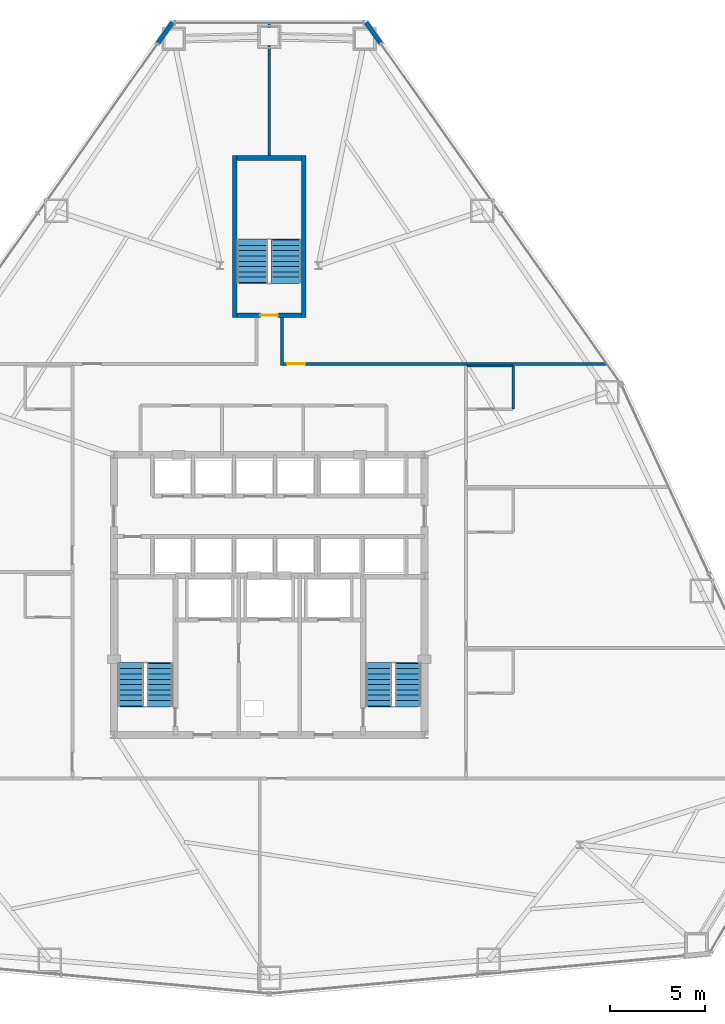
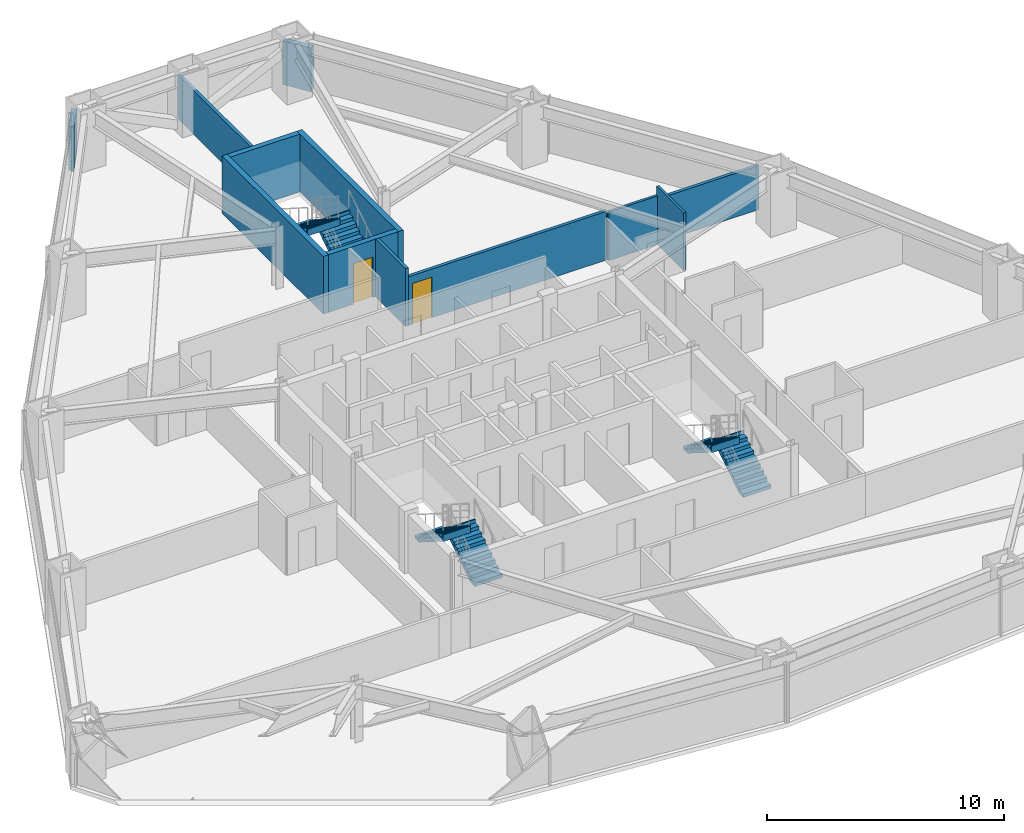
# One storey, part 11 of 12: 12 walls, 6 stair flights, 2 doors, 2 openings, 3 elements without a shape of their own.
"""IFC4 building model written with IfcOpenShell, lengths in metres."""

from ifc_helpers import new_model, si_unit, direction, frame, frame_2d, origin, place, context, subcontext, project, spatial, polyline, rectangle, outline, extrude, material, layer, layer_set, type_object, element, fill, aggregate, save


model = new_model("IFC4")

# Units and contexts
model_context = context("Model", 3, precision=1e-05, world=origin(), true_north=direction((0.0, 1.0)))
body_context = subcontext(model_context, "Body", "Model", "MODEL_VIEW")
ifc_project = project(units=[si_unit("LENGTHUNIT", "METRE"), si_unit("AREAUNIT", "SQUARE_METRE"), si_unit("VOLUMEUNIT", "CUBIC_METRE"), si_unit("PLANEANGLEUNIT", "RADIAN"), si_unit("MASSUNIT", "GRAM", prefix="KILO")], contexts=[model_context])

# Site, building, storey
site_placement = place(None, origin())
site = spatial("IfcSite", under=ifc_project, at=site_placement, CompositionType="ELEMENT")
building_placement = place(site_placement, origin())
building = spatial("IfcBuilding", under=site, at=building_placement, Name="Varakhsha Concourse Tower", CompositionType="ELEMENT")
storey_placement = place(building_placement, frame((0.0, 0.0, 43.199951171875)))
storey = spatial("IfcBuildingStorey", under=building, at=storey_placement, Name="L11", CompositionType="ELEMENT", Elevation=43.199951171875)

# Walls
ifc_material_1 = material(Name="Concrete fc 45 MPa", Category="concrete")
ifc_layer_1 = layer(ifc_material_1, 0.239990234375, Name="WL-EXT-CRN-240")
ifc_layer_set_1 = layer_set([ifc_layer_1], Name="Concrete fc 45 MPa")
wall_type_1 = type_object("IfcWallType", Name="WL-EXT-CRN-240", PredefinedType="SHEAR", material=ifc_layer_set_1)
for number, where, z_axis, x_axis, name in (
    (1, (34.886962890625, 54.03466796875, 0.0), (0.0, 0.0, 1.0), (-0.576510403346, -0.817089808304, 0.0), "L11 Wind-Corner Shoulder Wall F2"),
    (2, (45.880615234375, 52.94677734375, 0.0), (0.0, 0.0, 1.0), (-0.576510403346, 0.817089808304, 0.0), "L11 Wind-Corner Shoulder Wall F9"),
):
    element("IfcWall", number, at=place(storey_placement, frame(where, z_axis=z_axis, x_axis=x_axis)), inside=storey, type_object=wall_type_1, Name=name, PredefinedType="SHEAR", context=body_context, shape_type="SweptSolid", body=[
        extrude(rectangle(XDim=1.33154296875, YDim=0.239990234375, at=frame_2d((0.665771484375, 0.0))), origin(), (0.0, 0.0, 1.0), 2.262939453125),
    ])
ifc_material_2 = material(Name="Acoustic Gypsum Board Partition Assembly", Category="gypsum")
ifc_layer_2 = layer(ifc_material_2, 0.1201171875, Name="WL-PART-120")
ifc_layer_set_2 = layer_set([ifc_layer_2], Name="Acoustic Gypsum Board Partition Assembly")
wall_type_2 = type_object("IfcWallType", Name="WL-PART-120", PredefinedType="PARTITIONING", material=ifc_layer_set_2)
wall_1_placement = place(storey_placement, frame((52.889892578125, 33.610107421875, 0.0), z_axis=(0.0, 0.0, 1.0), x_axis=(0.0, 1.0, 0.0)))
element("IfcWall", 3, at=wall_1_placement, inside=storey, type_object=wall_type_2, Name="L11 Wall ENSW-E-L11-H07", PredefinedType="PARTITIONING", context=body_context, shape_type="SweptSolid", body=[
    extrude(rectangle(XDim=2.27978515625, YDim=0.1201171875, at=frame_2d((1.139892578125, 0.0))), origin(), (0.0, 0.0, 1.0), 2.97998046875),
])
wall_2_placement = place(storey_placement, frame((50.4599609375, 35.889892578125, 0.0), z_axis=(0.0, 0.0, 1.0), x_axis=(1.0, 0.0, 0.0)))
element("IfcWall", 4, at=wall_2_placement, inside=storey, type_object=wall_type_2, Name="L11 Wall ENSW-N-L11-H07", PredefinedType="PARTITIONING", context=body_context, shape_type="SweptSolid", body=[
    extrude(rectangle(XDim=2.429931640625, YDim=0.1201171875, at=frame_2d((1.21484375, 0.0))), origin(), (0.0, 0.0, 1.0), 2.512939453125),
])

# Wall, opening, door
ifc_material_3 = material(Name="Fire-Rated Type X Gypsum Partition Assembly", Category="gypsum")
ifc_layer_3 = layer(ifc_material_3, 0.14990234375, Name="WL-PART-150")
ifc_layer_set_3 = layer_set([ifc_layer_3], Name="Fire-Rated Type X Gypsum Partition Assembly")
wall_type_3 = type_object("IfcWallType", Name="WL-PART-150", PredefinedType="PARTITIONING", material=ifc_layer_set_3)
wall_3_placement = place(storey_placement, frame((40.75, 36.0, 0.0), z_axis=(0.0, 0.0, 1.0), x_axis=(1.0, 0.0, 0.0)))
wall_3 = element("IfcWall", 5, at=wall_3_placement, inside=storey, type_object=wall_type_3, Name="L11 Wall CRW-N-L11-B", PredefinedType="PARTITIONING", context=body_context, shape_type="SweptSolid", body=[
    extrude(rectangle(XDim=9.64990234375, YDim=0.14990234375, at=frame_2d((4.824951171875, 0.0))), origin(), (0.0, 0.0, 1.0), 2.512939453125),
])
opening_1_placement = place(wall_3_placement, frame((0.199951171875, 0.0, 0.0)))
opening_1 = element("IfcOpeningElement", 6, at=opening_1_placement, cuts=wall_3, Name="Opening DF-05", PredefinedType="OPENING", context=body_context, shape_type="SweptSolid", body=[
    extrude(rectangle(XDim=0.949951171875, YDim=2.10009765625, at=frame_2d((0.47509765625, 1.050048828125))), frame((0.0, 0.0849609375, 0.0), z_axis=(0.0, -1.0, 0.0), x_axis=(1.0, 0.0, 0.0)), (0.0, 0.0, 1.0), 0.169921875),
])
ifc_material_4 = material(Name="Hollow Galvanised Steel Fire Door Assembly", Category="steel")
door_type_1 = type_object("IfcDoorType", Name="DR-FD60-950", OperationType="NOTDEFINED", PredefinedType="DOOR", material=ifc_material_4)
door_1_placement = place(opening_1_placement, origin())
door_1 = element("IfcDoor", 7, at=door_1_placement, inside=storey, type_object=door_type_1, Name="L11 Hotel Executive Salon L11-H09 Door", OperationType="SINGLE_SWING_LEFT", OverallHeight=2.10009765625, OverallWidth=0.949951171875, PredefinedType="DOOR", context=body_context, shape_type="SweptSolid", body=[
    extrude(rectangle(XDim=0.949951171875, YDim=2.10009765625, at=frame_2d((0.47509765625, 1.050048828125))), frame((0.0, 0.02490234375, 0.0), z_axis=(0.0, -1.0, 0.0), x_axis=(1.0, 0.0, 0.0)), (0.0, 0.0, 1.0), 0.050048828125),
])
fill(opening_1, door_1)

# Walls
wall_4_placement = place(storey_placement, frame((50.39990234375, 36.0, 0.0), z_axis=(0.0, 0.0, 1.0), x_axis=(1.0, 0.0, 0.0)))
element("IfcWall", 8, at=wall_4_placement, inside=storey, type_object=wall_type_3, Name="L11 Wall HDIV-EBN-L11", PredefinedType="PARTITIONING", context=body_context, shape_type="SweptSolid", body=[
    extrude(rectangle(XDim=7.434326171875, YDim=0.14990234375, at=frame_2d((3.71728515625, 0.0))), origin(), (0.0, 0.0, 1.0), 2.26806640625),
])
wall_5_placement = place(storey_placement, frame((40.0, 47.0, 0.0), z_axis=(0.0, 0.0, 1.0), x_axis=(0.0, 1.0, 0.0)))
element("IfcWall", 9, at=wall_5_placement, inside=storey, type_object=wall_type_3, Name="L11 Wall HDIV-N1-L11", PredefinedType="PARTITIONING", context=body_context, shape_type="SweptSolid", body=[
    extrude(rectangle(XDim=7.003662109375, YDim=0.14990234375, at=frame_2d((3.501953125, 0.0))), origin(), (0.0, 0.0, 1.0), 2.26806640625),
])
wall_6_placement = place(storey_placement, frame((40.675048828125, 35.925048828125, 0.0), z_axis=(0.0, 0.0, 1.0), x_axis=(0.0, 1.0, 0.0)))
element("IfcWall", 10, at=wall_6_placement, inside=storey, type_object=wall_type_3, Name="L11 Wall STUB-E-L11", PredefinedType="PARTITIONING", context=body_context, shape_type="SweptSolid", body=[
    extrude(rectangle(XDim=2.52490234375, YDim=0.14990234375, at=frame_2d((1.262451171875, 0.0))), origin(), (0.0, 0.0, 1.0), 2.97998046875),
])
ifc_layer_4 = layer(ifc_material_1, 0.25, Name="WL-STAIR-250")
ifc_layer_set_4 = layer_set([ifc_layer_4], Name="Concrete fc 45 MPa")
wall_type_4 = type_object("IfcWallType", Name="WL-STAIR-250", PredefinedType="SHEAR", material=ifc_layer_set_4)
for number, where, z_axis, x_axis, name in (
    (11, (38.175048828125, 38.449951171875, 0.0), (0.0, 0.0, 1.0), (0.0, 1.0, 0.0), "L11 Wall SWALL-ST5-W-L11"),
    (12, (41.824951171875, 38.449951171875, 0.0), (0.0, 0.0, 1.0), (0.0, 1.0, 0.0), "L11 Wall SWALL-ST5-E-L11"),
):
    element("IfcWall", number, at=place(storey_placement, frame(where, z_axis=z_axis, x_axis=x_axis)), inside=storey, type_object=wall_type_4, Name=name, PredefinedType="SHEAR", context=body_context, shape_type="SweptSolid", body=[
        extrude(rectangle(XDim=8.550048828125, YDim=0.25, at=frame_2d((4.27490234375, 0.0))), origin(), (0.0, 0.0, 1.0), 2.97998046875),
    ])

# Wall, opening, door
wall_7_placement = place(storey_placement, frame((38.300048828125, 38.574951171875, 0.0), z_axis=(0.0, 0.0, 1.0), x_axis=(1.0, 0.0, 0.0)))
wall_7 = element("IfcWall", 13, at=wall_7_placement, inside=storey, type_object=wall_type_4, Name="L11 Wall SWALL-ST5-S-L11", PredefinedType="SHEAR", context=body_context, shape_type="SweptSolid", body=[
    extrude(rectangle(XDim=3.39990234375, YDim=0.25, at=frame_2d((1.699951171875, 0.0))), origin(), (0.0, 0.0, 1.0), 2.97998046875),
])
opening_2_placement = place(wall_7_placement, frame((1.22509765625, 0.0, 0.0)))
opening_2 = element("IfcOpeningElement", 14, at=opening_2_placement, cuts=wall_7, Name="Opening DF-03", PredefinedType="OPENING", context=body_context, shape_type="SweptSolid", body=[
    extrude(rectangle(XDim=0.949951171875, YDim=2.10009765625, at=frame_2d((0.47509765625, 1.050048828125))), frame((0.0, 0.135009765625, 0.0), z_axis=(0.0, -1.0, 0.0), x_axis=(1.0, 0.0, 0.0)), (0.0, 0.0, 1.0), 0.27001953125),
])
door_type_2 = type_object("IfcDoorType", Name="DR-FD90-950", OperationType="NOTDEFINED", PredefinedType="DOOR", material=ifc_material_4)
door_2_placement = place(opening_2_placement, origin())
door_2 = element("IfcDoor", 15, at=door_2_placement, inside=storey, type_object=door_type_2, Name="L11 Stair ST5 Fire Door", OperationType="SINGLE_SWING_RIGHT", OverallHeight=2.10009765625, OverallWidth=0.949951171875, PredefinedType="DOOR", context=body_context, shape_type="SweptSolid", body=[
    extrude(rectangle(XDim=0.949951171875, YDim=2.10009765625, at=frame_2d((0.47509765625, 1.050048828125))), frame((0.0, 0.02490234375, 0.0), z_axis=(0.0, -1.0, 0.0), x_axis=(1.0, 0.0, 0.0)), (0.0, 0.0, 1.0), 0.050048828125),
])
fill(opening_2, door_2)

# Wall
wall_8_placement = place(storey_placement, frame((38.300048828125, 46.875, 0.0), z_axis=(0.0, 0.0, 1.0), x_axis=(1.0, 0.0, 0.0)))
element("IfcWall", 16, at=wall_8_placement, inside=storey, type_object=wall_type_4, Name="L11 Wall SWALL-ST5-N-L11", PredefinedType="SHEAR", context=body_context, shape_type="SweptSolid", body=[
    extrude(rectangle(XDim=3.39990234375, YDim=0.25, at=frame_2d((1.699951171875, 0.0))), origin(), (0.0, 0.0, 1.0), 2.97998046875),
])

# Stair, stair flights
stair_type_1 = type_object("IfcStairType", Name="ST-DOGLEG-1360", PredefinedType="HALF_TURN_STAIR", material=ifc_material_1)
stair_1_placement = place(storey_placement, origin())
stair_1 = element("IfcStair", 17, at=stair_1_placement, inside=storey, type_object=stair_type_1, Name="L11 Protected Exit Stair ST1", PredefinedType="HALF_TURN_STAIR")
stair_flight_type_1 = type_object("IfcStairFlightType", Name="STF-1360-R1778", PredefinedType="STRAIGHT", material=ifc_material_1)
stair_flight_1_placement = place(storey_placement, frame((34.239990234375, 17.93994140625, 0.0), z_axis=(0.0, 0.0, 1.0), x_axis=(0.0, 1.0, 0.0)))
stair_flight_1 = element("IfcStairFlight", 18, at=stair_flight_1_placement, type_object=stair_flight_type_1, Name="ST1 flight 1", NumberOfRisers=9, NumberOfTreads=8, PredefinedType="STRAIGHT", RiserHeight=0.177777778, TreadLength=0.28, context=body_context, shape_type="SweptSolid", body=[
    extrude(outline(polyline([(-0.06005859375, 0.0), (-0.06005859375, 0.177734375), (0.0, 0.177734375), (0.280029296875, 0.177734375), (0.280029296875, 0.35546875), (0.56005859375, 0.35546875), (0.56005859375, 0.533447265625), (0.840087890625, 0.533447265625), (0.840087890625, 0.711181640625), (1.1201171875, 0.711181640625), (1.1201171875, 0.888916015625), (1.39990234375, 0.888916015625), (1.39990234375, 1.066650390625), (1.679931640625, 1.066650390625), (1.679931640625, 1.244384765625), (1.9599609375, 1.244384765625), (1.9599609375, 1.422119140625), (2.239990234375, 1.422119140625), (2.239990234375, 1.60009765625), (2.300048828125, 1.60009765625), (2.300048828125, 1.24462890625), (2.239990234375, 1.24462890625), (0.27978515625, 0.0), (-0.06005859375, 0.0)])), frame((0.0, 0.68017578125, 0.0), z_axis=(0.0, -1.0, 0.0), x_axis=(1.0, 0.0, 0.0)), (0.0, 0.0, 1.0), 1.360107421875),
])
stair_flight_2_placement = place(storey_placement, frame((32.679931640625, 20.179931640625, 1.60009765625), z_axis=(0.0, 0.0, 1.0), x_axis=(0.0, -1.0, 0.0)))
stair_flight_2 = element("IfcStairFlight", 19, at=stair_flight_2_placement, type_object=stair_flight_type_1, Name="ST1 flight 2", NumberOfRisers=9, NumberOfTreads=8, PredefinedType="STRAIGHT", RiserHeight=0.177777778, TreadLength=0.28, context=body_context, shape_type="SweptSolid", body=[
    extrude(outline(polyline([(-0.06005859375, 0.0), (-0.06005859375, 0.177734375), (0.0, 0.177734375), (0.280029296875, 0.177734375), (0.280029296875, 0.35546875), (0.56005859375, 0.35546875), (0.56005859375, 0.533447265625), (0.840087890625, 0.533447265625), (0.840087890625, 0.711181640625), (1.1201171875, 0.711181640625), (1.1201171875, 0.888916015625), (1.39990234375, 0.888916015625), (1.39990234375, 1.066650390625), (1.679931640625, 1.066650390625), (1.679931640625, 1.244384765625), (1.9599609375, 1.244384765625), (1.9599609375, 1.422119140625), (2.239990234375, 1.422119140625), (2.239990234375, 1.60009765625), (2.300048828125, 1.60009765625), (2.300048828125, 1.24462890625), (2.239990234375, 1.24462890625), (0.27978515625, 0.0), (-0.06005859375, 0.0)])), frame((0.0, 0.68017578125, 0.0), z_axis=(0.0, -1.0, 0.0), x_axis=(1.0, 0.0, 0.0)), (0.0, 0.0, 1.0), 1.360107421875),
])
aggregate(stair_1, [stair_flight_1, stair_flight_2])

stair_2_placement = place(storey_placement, origin())
stair_2 = element("IfcStair", 20, at=stair_2_placement, inside=storey, type_object=stair_type_1, Name="L11 Protected Exit Stair ST2", PredefinedType="HALF_TURN_STAIR")
stair_flight_3_placement = place(storey_placement, frame((47.340087890625, 17.93994140625, 0.0), z_axis=(0.0, 0.0, 1.0), x_axis=(0.0, 1.0, 0.0)))
stair_flight_3 = element("IfcStairFlight", 21, at=stair_flight_3_placement, type_object=stair_flight_type_1, Name="ST2 flight 1", NumberOfRisers=9, NumberOfTreads=8, PredefinedType="STRAIGHT", RiserHeight=0.177777778, TreadLength=0.28, context=body_context, shape_type="SweptSolid", body=[
    extrude(outline(polyline([(-0.06005859375, 0.0), (-0.06005859375, 0.177734375), (0.0, 0.177734375), (0.280029296875, 0.177734375), (0.280029296875, 0.35546875), (0.56005859375, 0.35546875), (0.56005859375, 0.533447265625), (0.840087890625, 0.533447265625), (0.840087890625, 0.711181640625), (1.1201171875, 0.711181640625), (1.1201171875, 0.888916015625), (1.39990234375, 0.888916015625), (1.39990234375, 1.066650390625), (1.679931640625, 1.066650390625), (1.679931640625, 1.244384765625), (1.9599609375, 1.244384765625), (1.9599609375, 1.422119140625), (2.239990234375, 1.422119140625), (2.239990234375, 1.60009765625), (2.300048828125, 1.60009765625), (2.300048828125, 1.24462890625), (2.239990234375, 1.24462890625), (0.27978515625, 0.0), (-0.06005859375, 0.0)])), frame((0.0, 0.68017578125, 0.0), z_axis=(0.0, -1.0, 0.0), x_axis=(1.0, 0.0, 0.0)), (0.0, 0.0, 1.0), 1.360107421875),
])
stair_flight_4_placement = place(storey_placement, frame((45.780029296875, 20.179931640625, 1.60009765625), z_axis=(0.0, 0.0, 1.0), x_axis=(0.0, -1.0, 0.0)))
stair_flight_4 = element("IfcStairFlight", 22, at=stair_flight_4_placement, type_object=stair_flight_type_1, Name="ST2 flight 2", NumberOfRisers=9, NumberOfTreads=8, PredefinedType="STRAIGHT", RiserHeight=0.177777778, TreadLength=0.28, context=body_context, shape_type="SweptSolid", body=[
    extrude(outline(polyline([(-0.06005859375, 0.0), (-0.06005859375, 0.177734375), (0.0, 0.177734375), (0.280029296875, 0.177734375), (0.280029296875, 0.35546875), (0.56005859375, 0.35546875), (0.56005859375, 0.533447265625), (0.840087890625, 0.533447265625), (0.840087890625, 0.711181640625), (1.1201171875, 0.711181640625), (1.1201171875, 0.888916015625), (1.39990234375, 0.888916015625), (1.39990234375, 1.066650390625), (1.679931640625, 1.066650390625), (1.679931640625, 1.244384765625), (1.9599609375, 1.244384765625), (1.9599609375, 1.422119140625), (2.239990234375, 1.422119140625), (2.239990234375, 1.60009765625), (2.300048828125, 1.60009765625), (2.300048828125, 1.24462890625), (2.239990234375, 1.24462890625), (0.27978515625, 0.0), (-0.06005859375, 0.0)])), frame((0.0, 0.68017578125, 0.0), z_axis=(0.0, -1.0, 0.0), x_axis=(1.0, 0.0, 0.0)), (0.0, 0.0, 1.0), 1.360107421875),
])
aggregate(stair_2, [stair_flight_3, stair_flight_4])

stair_type_2 = type_object("IfcStairType", Name="ST-DOGLEG-1600", PredefinedType="HALF_TURN_STAIR", material=ifc_material_1)
stair_3_placement = place(storey_placement, origin())
stair_3 = element("IfcStair", 23, at=stair_3_placement, inside=storey, type_object=stair_type_2, Name="L11 Protected Exit Stair ST5", PredefinedType="HALF_TURN_STAIR")
stair_flight_type_2 = type_object("IfcStairFlightType", Name="STF-1600-R1778", PredefinedType="STRAIGHT", material=ifc_material_1)
stair_flight_5_placement = place(storey_placement, frame((40.89990234375, 40.300048828125, 0.0), z_axis=(0.0, 0.0, 1.0), x_axis=(0.0, 1.0, 0.0)))
stair_flight_5 = element("IfcStairFlight", 24, at=stair_flight_5_placement, type_object=stair_flight_type_2, Name="ST5 flight 1", NumberOfRisers=9, NumberOfTreads=8, PredefinedType="STRAIGHT", RiserHeight=0.177777778, TreadLength=0.28, context=body_context, shape_type="SweptSolid", body=[
    extrude(outline(polyline([(-0.06005859375, 0.0), (-0.06005859375, 0.177734375), (0.0, 0.177734375), (0.280029296875, 0.177734375), (0.280029296875, 0.35546875), (0.56005859375, 0.35546875), (0.56005859375, 0.533447265625), (0.840087890625, 0.533447265625), (0.840087890625, 0.711181640625), (1.1201171875, 0.711181640625), (1.1201171875, 0.888916015625), (1.39990234375, 0.888916015625), (1.39990234375, 1.066650390625), (1.679931640625, 1.066650390625), (1.679931640625, 1.244384765625), (1.9599609375, 1.244384765625), (1.9599609375, 1.422119140625), (2.239990234375, 1.422119140625), (2.239990234375, 1.60009765625), (2.300048828125, 1.60009765625), (2.300048828125, 1.24462890625), (2.239990234375, 1.24462890625), (0.27978515625, 0.0), (-0.06005859375, 0.0)])), frame((0.0, 0.800048828125, 0.0), z_axis=(0.0, -1.0, 0.0), x_axis=(1.0, 0.0, 0.0)), (0.0, 0.0, 1.0), 1.60009765625),
])
stair_flight_6_placement = place(storey_placement, frame((39.10009765625, 42.5400390625, 1.60009765625), z_axis=(0.0, 0.0, 1.0), x_axis=(0.0, -1.0, 0.0)))
stair_flight_6 = element("IfcStairFlight", 25, at=stair_flight_6_placement, type_object=stair_flight_type_2, Name="ST5 flight 2", NumberOfRisers=9, NumberOfTreads=8, PredefinedType="STRAIGHT", RiserHeight=0.177777778, TreadLength=0.28, context=body_context, shape_type="SweptSolid", body=[
    extrude(outline(polyline([(-0.06005859375, 0.0), (-0.06005859375, 0.177734375), (0.0, 0.177734375), (0.280029296875, 0.177734375), (0.280029296875, 0.35546875), (0.56005859375, 0.35546875), (0.56005859375, 0.533447265625), (0.840087890625, 0.533447265625), (0.840087890625, 0.711181640625), (1.1201171875, 0.711181640625), (1.1201171875, 0.888916015625), (1.39990234375, 0.888916015625), (1.39990234375, 1.066650390625), (1.679931640625, 1.066650390625), (1.679931640625, 1.244384765625), (1.9599609375, 1.244384765625), (1.9599609375, 1.422119140625), (2.239990234375, 1.422119140625), (2.239990234375, 1.60009765625), (2.300048828125, 1.60009765625), (2.300048828125, 1.24462890625), (2.239990234375, 1.24462890625), (0.27978515625, 0.0), (-0.06005859375, 0.0)])), frame((0.0, 0.800048828125, 0.0), z_axis=(0.0, -1.0, 0.0), x_axis=(1.0, 0.0, 0.0)), (0.0, 0.0, 1.0), 1.60009765625),
])
aggregate(stair_3, [stair_flight_5, stair_flight_6])

save(model, "model.ifc")
